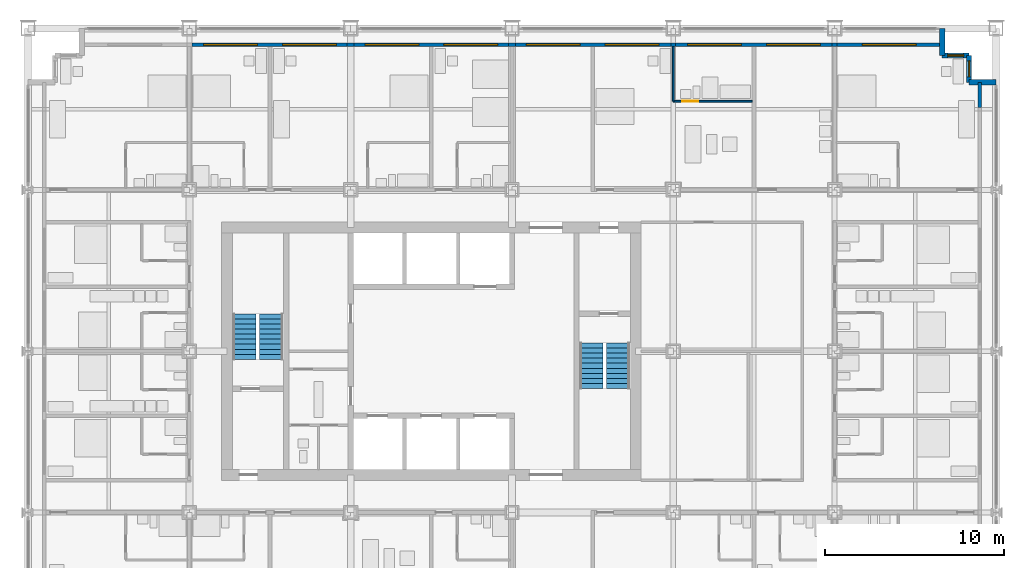
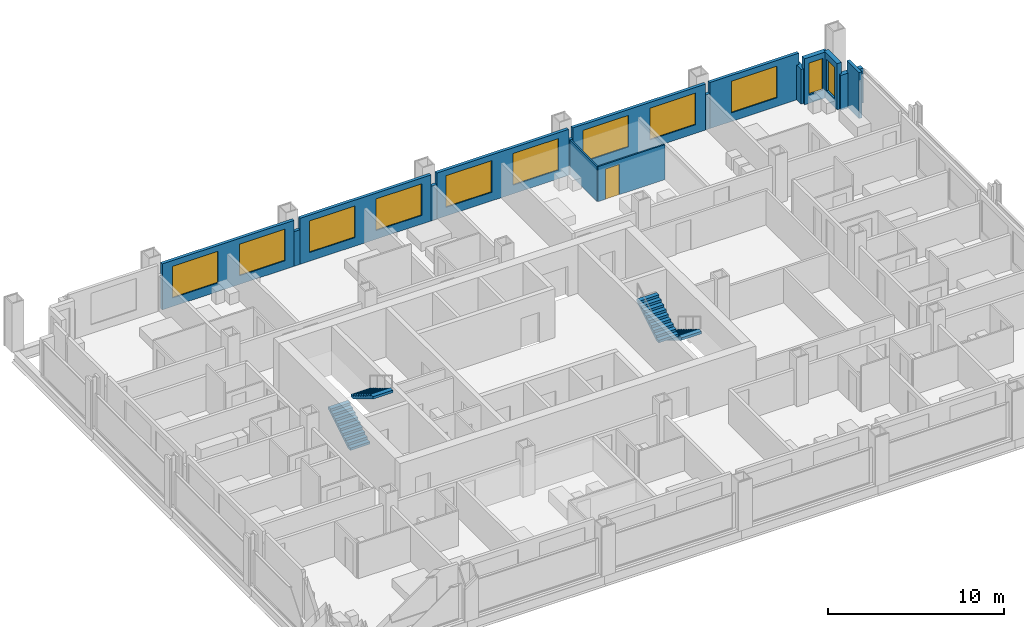
# One storey, part 15 of 18: 16 walls, 11 windows, 4 stair flights, 1 door, 12 openings, 2 elements without a shape of their own.
"""IFC4 building model written with IfcOpenShell, lengths in metres."""

from ifc_helpers import new_model, si_unit, direction, frame, frame_2d, origin, place, context, subcontext, project, spatial, polyline, rectangle, outline, extrude, material, layer, layer_set, type_object, element, fill, aggregate, save


model = new_model("IFC4")

# Units and contexts
model_context = context("Model", 3, precision=1e-05, world=origin(), true_north=direction((0.0, 1.0)))
body_context = subcontext(model_context, "Body", "Model", "MODEL_VIEW")
ifc_project = project(units=[si_unit("LENGTHUNIT", "METRE"), si_unit("AREAUNIT", "SQUARE_METRE"), si_unit("VOLUMEUNIT", "CUBIC_METRE"), si_unit("PLANEANGLEUNIT", "RADIAN"), si_unit("MASSUNIT", "GRAM", prefix="KILO")], contexts=[model_context])

# Site, building, storey
site_placement = place(None, origin())
site = spatial("IfcSite", under=ifc_project, at=site_placement, CompositionType="ELEMENT")
building_placement = place(site_placement, origin())
building = spatial("IfcBuilding", under=site, at=building_placement, Name="Loomwork Tower", CompositionType="ELEMENT")
storey_placement = place(building_placement, frame((0.0, 0.0, 55.199951171875)))
storey = spatial("IfcBuildingStorey", under=building, at=storey_placement, Name="L13", CompositionType="ELEMENT", Elevation=55.199951171875)

# Wall, opening, door
ifc_material_1 = material(Name="Cement board on steel studs", Category="steel")
ifc_layer_1 = layer(ifc_material_1, 0.10009765625)
ifc_layer_set_1 = layer_set([ifc_layer_1], Name="En-suite partition 100")
wall_type_1 = type_object("IfcWallType", Name="En-suite partition 100", PredefinedType="PARTITIONING", material=ifc_layer_set_1)
wall_1_placement = place(storey_placement, frame((36.0, 31.949951171875, 0.0), z_axis=(0.0, 0.0, 1.0), x_axis=(1.0, 0.0, 0.0)))
wall_1 = element("IfcWall", 1, at=wall_1_placement, inside=storey, type_object=wall_type_1, Name="Spa bathroom wall L13 room 12", PredefinedType="PARTITIONING", context=body_context, shape_type="SweptSolid", body=[
    extrude(rectangle(XDim=4.39990234375, YDim=0.10009765625, at=frame_2d((2.199951171875, 0.0))), origin(), (0.0, 0.0, 1.0), 2.43798828125),
])
opening_1_placement = place(wall_1_placement, frame((0.5, 0.0, 0.0)))
opening_1 = element("IfcOpeningElement", 2, at=opening_1_placement, cuts=wall_1, Name="Opening D2", PredefinedType="OPENING", context=body_context, shape_type="SweptSolid", body=[
    extrude(rectangle(XDim=0.89990234375, YDim=2.10009765625, at=frame_2d((0.449951171875, 1.050048828125))), frame((0.0, 0.06005859375, 0.0), z_axis=(0.0, -1.0, 0.0), x_axis=(1.0, 0.0, 0.0)), (0.0, 0.0, 1.0), 0.1201171875),
])
ifc_material_2 = material(Name="Hollow metal door and frame")
door_type = type_object("IfcDoorType", Name="En-suite door 900", OperationType="SINGLE_SWING_LEFT", PredefinedType="DOOR", material=ifc_material_2)
door_placement = place(opening_1_placement, origin())
door = element("IfcDoor", 3, at=door_placement, inside=storey, type_object=door_type, Name="Spa bathroom door room 12", OperationType="SINGLE_SWING_LEFT", OverallHeight=2.10009765625, OverallWidth=0.89990234375, PredefinedType="DOOR", context=body_context, shape_type="SweptSolid", body=[
    extrude(rectangle(XDim=0.89990234375, YDim=2.10009765625, at=frame_2d((0.449951171875, 1.050048828125))), frame((0.0, 0.02490234375, 0.0), z_axis=(0.0, -1.0, 0.0), x_axis=(1.0, 0.0, 0.0)), (0.0, 0.0, 1.0), 0.050048828125),
])
fill(opening_1, door)

# Wall
wall_2_placement = place(storey_placement, frame((36.0, 31.949951171875, 0.0), z_axis=(0.0, 0.0, 1.0), x_axis=(0.0, 1.0, 0.0)))
element("IfcWall", 4, at=wall_2_placement, inside=storey, type_object=wall_type_1, Name="Spa bathroom side wall L13 room 12", PredefinedType="PARTITIONING", context=body_context, shape_type="SweptSolid", body=[
    extrude(rectangle(XDim=3.050048828125, YDim=0.10009765625, at=frame_2d((1.52490234375, 0.0))), origin(), (0.0, 0.0, 1.0), 2.43798828125),
])

# Wall, openings, windows
ifc_material_3 = material(Name="Insulated steel stud wall with gypsum lining", Category="steel")
ifc_layer_2 = layer(ifc_material_3, 0.199951171875)
ifc_layer_set_2 = layer_set([ifc_layer_2], Name="Inner skin wall 200")
wall_type_2 = type_object("IfcWallType", Name="Inner skin wall 200", PredefinedType="SOLIDWALL", material=ifc_layer_set_2)
wall_3_placement = place(storey_placement, frame((9.13525390625, 35.10009765625, 0.0), z_axis=(0.0, 0.0, 1.0), x_axis=(1.0, 0.0, 0.0)))
wall_3 = element("IfcWall", 5, at=wall_3_placement, inside=storey, type_object=wall_type_2, Name="Inner skin wall N bay 3", PredefinedType="SOLIDWALL", context=body_context, shape_type="SweptSolid", body=[
    extrude(rectangle(XDim=8.6708984375, YDim=0.199951171875, at=frame_2d((4.33544921875, 0.0))), origin(), (0.0, 0.0, 1.0), 3.199951171875),
])
opening_2_placement = place(wall_3_placement, frame((0.664794921875, 0.0, 0.60009765625)))
opening_2 = element("IfcOpeningElement", 6, at=opening_2_placement, cuts=wall_3, Name="Opening CH1", PredefinedType="OPENING", context=body_context, shape_type="SweptSolid", body=[
    extrude(rectangle(XDim=3.0, YDim=2.199951171875, at=frame_2d((1.5, 1.10009765625))), frame((0.0, 0.10986328125, 0.0), z_axis=(0.0, -1.0, 0.0), x_axis=(1.0, 0.0, 0.0)), (0.0, 0.0, 1.0), 0.219970703125),
])
opening_3_placement = place(wall_3_placement, frame((5.064697265625, 0.0, 0.60009765625)))
opening_3 = element("IfcOpeningElement", 7, at=opening_3_placement, cuts=wall_3, Name="Opening CH1", PredefinedType="OPENING", context=body_context, shape_type="SweptSolid", body=[
    extrude(rectangle(XDim=3.0, YDim=2.199951171875, at=frame_2d((1.5, 1.10009765625))), frame((0.0, 0.10986328125, 0.0), z_axis=(0.0, -1.0, 0.0), x_axis=(1.0, 0.0, 0.0)), (0.0, 0.0, 1.0), 0.219970703125),
])
ifc_material_4 = material(Name="Aluminium frame with clear insulated glass", Category="aluminium")
window_type_1 = type_object("IfcWindowType", Name="Chicago window 3000", PartitioningType="TRIPLE_PANEL_VERTICAL", PredefinedType="WINDOW", material=ifc_material_4)
window_1_placement = place(opening_2_placement, origin())
window_1 = element("IfcWindow", 8, at=window_1_placement, inside=storey, type_object=window_type_1, Name="Chicago window L13 bay 8", OverallHeight=2.199951171875, OverallWidth=3.0, PartitioningType="TRIPLE_PANEL_VERTICAL", PredefinedType="WINDOW", context=body_context, shape_type="SweptSolid", body=[
    extrude(rectangle(XDim=3.0, YDim=2.199951171875, at=frame_2d((1.5, 1.10009765625))), frame((0.0, 0.030029296875, 0.0), z_axis=(0.0, -1.0, 0.0), x_axis=(1.0, 0.0, 0.0)), (0.0, 0.0, 1.0), 0.06005859375),
])
fill(opening_2, window_1)
window_2_placement = place(opening_3_placement, origin())
window_2 = element("IfcWindow", 9, at=window_2_placement, inside=storey, type_object=window_type_1, Name="Chicago window L13 bay 8", OverallHeight=2.199951171875, OverallWidth=3.0, PartitioningType="TRIPLE_PANEL_VERTICAL", PredefinedType="WINDOW", context=body_context, shape_type="SweptSolid", body=[
    extrude(rectangle(XDim=3.0, YDim=2.199951171875, at=frame_2d((1.5, 1.10009765625))), frame((0.0, 0.030029296875, 0.0), z_axis=(0.0, -1.0, 0.0), x_axis=(1.0, 0.0, 0.0)), (0.0, 0.0, 1.0), 0.06005859375),
])
fill(opening_3, window_2)

# Wall
wall_4_placement = place(storey_placement, frame((17.80615234375, 35.10009765625, 0.0), z_axis=(0.0, 0.0, 1.0), x_axis=(1.0, 0.0, 0.0)))
element("IfcWall", 10, at=wall_4_placement, inside=storey, type_object=wall_type_2, Name="Inner skin wall N bay 4", PredefinedType="SOLIDWALL", context=body_context, shape_type="SweptSolid", body=[
    extrude(rectangle(XDim=0.3876953125, YDim=0.199951171875, at=frame_2d((0.19384765625, 0.0))), origin(), (0.0, 0.0, 1.0), 2.404052734375),
])

# Wall, openings, windows
wall_5_placement = place(storey_placement, frame((18.19384765625, 35.10009765625, 0.0), z_axis=(0.0, 0.0, 1.0), x_axis=(1.0, 0.0, 0.0)))
wall_5 = element("IfcWall", 11, at=wall_5_placement, inside=storey, type_object=wall_type_2, Name="Inner skin wall N bay 5", PredefinedType="SOLIDWALL", context=body_context, shape_type="SweptSolid", body=[
    extrude(rectangle(XDim=8.6123046875, YDim=0.199951171875, at=frame_2d((4.30615234375, 0.0))), origin(), (0.0, 0.0, 1.0), 3.199951171875),
])
opening_4_placement = place(wall_5_placement, frame((0.606201171875, 0.0, 0.60009765625)))
opening_4 = element("IfcOpeningElement", 12, at=opening_4_placement, cuts=wall_5, Name="Opening CH1", PredefinedType="OPENING", context=body_context, shape_type="SweptSolid", body=[
    extrude(rectangle(XDim=3.0, YDim=2.199951171875, at=frame_2d((1.5, 1.10009765625))), frame((0.0, 0.10986328125, 0.0), z_axis=(0.0, -1.0, 0.0), x_axis=(1.0, 0.0, 0.0)), (0.0, 0.0, 1.0), 0.219970703125),
])
opening_5_placement = place(wall_5_placement, frame((5.006103515625, 0.0, 0.60009765625)))
opening_5 = element("IfcOpeningElement", 13, at=opening_5_placement, cuts=wall_5, Name="Opening CH1", PredefinedType="OPENING", context=body_context, shape_type="SweptSolid", body=[
    extrude(rectangle(XDim=3.0, YDim=2.199951171875, at=frame_2d((1.5, 1.10009765625))), frame((0.0, 0.10986328125, 0.0), z_axis=(0.0, -1.0, 0.0), x_axis=(1.0, 0.0, 0.0)), (0.0, 0.0, 1.0), 0.219970703125),
])
window_3_placement = place(opening_4_placement, origin())
window_3 = element("IfcWindow", 14, at=window_3_placement, inside=storey, type_object=window_type_1, Name="Chicago window L13 bay 9", OverallHeight=2.199951171875, OverallWidth=3.0, PartitioningType="TRIPLE_PANEL_VERTICAL", PredefinedType="WINDOW", context=body_context, shape_type="SweptSolid", body=[
    extrude(rectangle(XDim=3.0, YDim=2.199951171875, at=frame_2d((1.5, 1.10009765625))), frame((0.0, 0.030029296875, 0.0), z_axis=(0.0, -1.0, 0.0), x_axis=(1.0, 0.0, 0.0)), (0.0, 0.0, 1.0), 0.06005859375),
])
fill(opening_4, window_3)
window_4_placement = place(opening_5_placement, origin())
window_4 = element("IfcWindow", 15, at=window_4_placement, inside=storey, type_object=window_type_1, Name="Chicago window L13 bay 9", OverallHeight=2.199951171875, OverallWidth=3.0, PartitioningType="TRIPLE_PANEL_VERTICAL", PredefinedType="WINDOW", context=body_context, shape_type="SweptSolid", body=[
    extrude(rectangle(XDim=3.0, YDim=2.199951171875, at=frame_2d((1.5, 1.10009765625))), frame((0.0, 0.030029296875, 0.0), z_axis=(0.0, -1.0, 0.0), x_axis=(1.0, 0.0, 0.0)), (0.0, 0.0, 1.0), 0.06005859375),
])
fill(opening_5, window_4)

# Wall
wall_6_placement = place(storey_placement, frame((26.80615234375, 35.10009765625, 0.0), z_axis=(0.0, 0.0, 1.0), x_axis=(1.0, 0.0, 0.0)))
element("IfcWall", 16, at=wall_6_placement, inside=storey, type_object=wall_type_2, Name="Inner skin wall N bay 6", PredefinedType="SOLIDWALL", context=body_context, shape_type="SweptSolid", body=[
    extrude(rectangle(XDim=0.3876953125, YDim=0.199951171875, at=frame_2d((0.19384765625, 0.0))), origin(), (0.0, 0.0, 1.0), 2.404052734375),
])

# Wall, openings, windows
wall_7_placement = place(storey_placement, frame((27.19384765625, 35.10009765625, 0.0), z_axis=(0.0, 0.0, 1.0), x_axis=(1.0, 0.0, 0.0)))
wall_7 = element("IfcWall", 17, at=wall_7_placement, inside=storey, type_object=wall_type_2, Name="Inner skin wall N bay 7", PredefinedType="SOLIDWALL", context=body_context, shape_type="SweptSolid", body=[
    extrude(rectangle(XDim=8.670654296875, YDim=0.199951171875, at=frame_2d((4.33544921875, 0.0))), origin(), (0.0, 0.0, 1.0), 3.199951171875),
])
opening_6_placement = place(wall_7_placement, frame((0.606201171875, 0.0, 0.60009765625)))
opening_6 = element("IfcOpeningElement", 18, at=opening_6_placement, cuts=wall_7, Name="Opening CH1", PredefinedType="OPENING", context=body_context, shape_type="SweptSolid", body=[
    extrude(rectangle(XDim=3.0, YDim=2.199951171875, at=frame_2d((1.5, 1.10009765625))), frame((0.0, 0.10986328125, 0.0), z_axis=(0.0, -1.0, 0.0), x_axis=(1.0, 0.0, 0.0)), (0.0, 0.0, 1.0), 0.219970703125),
])
opening_7_placement = place(wall_7_placement, frame((5.006103515625, 0.0, 0.60009765625)))
opening_7 = element("IfcOpeningElement", 19, at=opening_7_placement, cuts=wall_7, Name="Opening CH1", PredefinedType="OPENING", context=body_context, shape_type="SweptSolid", body=[
    extrude(rectangle(XDim=3.0, YDim=2.199951171875, at=frame_2d((1.5, 1.10009765625))), frame((0.0, 0.10986328125, 0.0), z_axis=(0.0, -1.0, 0.0), x_axis=(1.0, 0.0, 0.0)), (0.0, 0.0, 1.0), 0.219970703125),
])
window_5_placement = place(opening_6_placement, origin())
window_5 = element("IfcWindow", 20, at=window_5_placement, inside=storey, type_object=window_type_1, Name="Chicago window L13 bay 10", OverallHeight=2.199951171875, OverallWidth=3.0, PartitioningType="TRIPLE_PANEL_VERTICAL", PredefinedType="WINDOW", context=body_context, shape_type="SweptSolid", body=[
    extrude(rectangle(XDim=3.0, YDim=2.199951171875, at=frame_2d((1.5, 1.10009765625))), frame((0.0, 0.030029296875, 0.0), z_axis=(0.0, -1.0, 0.0), x_axis=(1.0, 0.0, 0.0)), (0.0, 0.0, 1.0), 0.06005859375),
])
fill(opening_6, window_5)
window_6_placement = place(opening_7_placement, origin())
window_6 = element("IfcWindow", 21, at=window_6_placement, inside=storey, type_object=window_type_1, Name="Chicago window L13 bay 10", OverallHeight=2.199951171875, OverallWidth=3.0, PartitioningType="TRIPLE_PANEL_VERTICAL", PredefinedType="WINDOW", context=body_context, shape_type="SweptSolid", body=[
    extrude(rectangle(XDim=3.0, YDim=2.199951171875, at=frame_2d((1.5, 1.10009765625))), frame((0.0, 0.030029296875, 0.0), z_axis=(0.0, -1.0, 0.0), x_axis=(1.0, 0.0, 0.0)), (0.0, 0.0, 1.0), 0.06005859375),
])
fill(opening_7, window_6)

# Wall
wall_8_placement = place(storey_placement, frame((35.864501953125, 35.10009765625, 0.0), z_axis=(0.0, 0.0, 1.0), x_axis=(1.0, 0.0, 0.0)))
element("IfcWall", 22, at=wall_8_placement, inside=storey, type_object=wall_type_2, Name="Inner skin wall N bay 8", PredefinedType="SOLIDWALL", context=body_context, shape_type="SweptSolid", body=[
    extrude(rectangle(XDim=0.27099609375, YDim=0.199951171875, at=frame_2d((0.135498046875, 0.0))), origin(), (0.0, 0.0, 1.0), 2.43798828125),
])

# Wall, openings, windows
wall_9_placement = place(storey_placement, frame((36.135498046875, 35.10009765625, 0.0), z_axis=(0.0, 0.0, 1.0), x_axis=(1.0, 0.0, 0.0)))
wall_9 = element("IfcWall", 23, at=wall_9_placement, inside=storey, type_object=wall_type_2, Name="Inner skin wall N bay 9", PredefinedType="SOLIDWALL", context=body_context, shape_type="SweptSolid", body=[
    extrude(rectangle(XDim=8.72900390625, YDim=0.199951171875, at=frame_2d((4.364501953125, 0.0))), origin(), (0.0, 0.0, 1.0), 3.199951171875),
])
opening_8_placement = place(wall_9_placement, frame((0.66455078125, 0.0, 0.60009765625)))
opening_8 = element("IfcOpeningElement", 24, at=opening_8_placement, cuts=wall_9, Name="Opening CH1", PredefinedType="OPENING", context=body_context, shape_type="SweptSolid", body=[
    extrude(rectangle(XDim=3.0, YDim=2.199951171875, at=frame_2d((1.5, 1.10009765625))), frame((0.0, 0.10986328125, 0.0), z_axis=(0.0, -1.0, 0.0), x_axis=(1.0, 0.0, 0.0)), (0.0, 0.0, 1.0), 0.219970703125),
])
opening_9_placement = place(wall_9_placement, frame((5.064697265625, 0.0, 0.60009765625)))
opening_9 = element("IfcOpeningElement", 25, at=opening_9_placement, cuts=wall_9, Name="Opening CH1", PredefinedType="OPENING", context=body_context, shape_type="SweptSolid", body=[
    extrude(rectangle(XDim=3.0, YDim=2.199951171875, at=frame_2d((1.5, 1.10009765625))), frame((0.0, 0.10986328125, 0.0), z_axis=(0.0, -1.0, 0.0), x_axis=(1.0, 0.0, 0.0)), (0.0, 0.0, 1.0), 0.219970703125),
])
window_7_placement = place(opening_8_placement, origin())
window_7 = element("IfcWindow", 26, at=window_7_placement, inside=storey, type_object=window_type_1, Name="Chicago window L13 bay 11", OverallHeight=2.199951171875, OverallWidth=3.0, PartitioningType="TRIPLE_PANEL_VERTICAL", PredefinedType="WINDOW", context=body_context, shape_type="SweptSolid", body=[
    extrude(rectangle(XDim=3.0, YDim=2.199951171875, at=frame_2d((1.5, 1.10009765625))), frame((0.0, 0.030029296875, 0.0), z_axis=(0.0, -1.0, 0.0), x_axis=(1.0, 0.0, 0.0)), (0.0, 0.0, 1.0), 0.06005859375),
])
fill(opening_8, window_7)
window_8_placement = place(opening_9_placement, origin())
window_8 = element("IfcWindow", 27, at=window_8_placement, inside=storey, type_object=window_type_1, Name="Chicago window L13 bay 11", OverallHeight=2.199951171875, OverallWidth=3.0, PartitioningType="TRIPLE_PANEL_VERTICAL", PredefinedType="WINDOW", context=body_context, shape_type="SweptSolid", body=[
    extrude(rectangle(XDim=3.0, YDim=2.199951171875, at=frame_2d((1.5, 1.10009765625))), frame((0.0, 0.030029296875, 0.0), z_axis=(0.0, -1.0, 0.0), x_axis=(1.0, 0.0, 0.0)), (0.0, 0.0, 1.0), 0.06005859375),
])
fill(opening_9, window_8)

# Wall
wall_10_placement = place(storey_placement, frame((44.864501953125, 35.10009765625, 0.0), z_axis=(0.0, 0.0, 1.0), x_axis=(1.0, 0.0, 0.0)))
element("IfcWall", 28, at=wall_10_placement, inside=storey, type_object=wall_type_2, Name="Inner skin wall N bay 10", PredefinedType="SOLIDWALL", context=body_context, shape_type="SweptSolid", body=[
    extrude(rectangle(XDim=0.27099609375, YDim=0.199951171875, at=frame_2d((0.135498046875, 0.0))), origin(), (0.0, 0.0, 1.0), 2.43798828125),
])

# Wall, opening, window
wall_11_placement = place(storey_placement, frame((45.135498046875, 35.10009765625, 0.0), z_axis=(0.0, 0.0, 1.0), x_axis=(1.0, 0.0, 0.0)))
wall_11 = element("IfcWall", 29, at=wall_11_placement, inside=storey, type_object=wall_type_2, Name="Inner skin wall N bay 11", PredefinedType="SOLIDWALL", context=body_context, shape_type="SweptSolid", body=[
    extrude(rectangle(XDim=5.864501953125, YDim=0.199951171875, at=frame_2d((2.93212890625, 0.0))), origin(), (0.0, 0.0, 1.0), 3.199951171875),
])
opening_10_placement = place(wall_11_placement, frame((1.41455078125, 0.0, 0.60009765625)))
opening_10 = element("IfcOpeningElement", 30, at=opening_10_placement, cuts=wall_11, Name="Opening CH1", PredefinedType="OPENING", context=body_context, shape_type="SweptSolid", body=[
    extrude(rectangle(XDim=3.0, YDim=2.199951171875, at=frame_2d((1.5, 1.10009765625))), frame((0.0, 0.10986328125, 0.0), z_axis=(0.0, -1.0, 0.0), x_axis=(1.0, 0.0, 0.0)), (0.0, 0.0, 1.0), 0.219970703125),
])
window_9_placement = place(opening_10_placement, origin())
window_9 = element("IfcWindow", 31, at=window_9_placement, inside=storey, type_object=window_type_1, Name="Chicago window L13 bay 12", OverallHeight=2.199951171875, OverallWidth=3.0, PartitioningType="TRIPLE_PANEL_VERTICAL", PredefinedType="WINDOW", context=body_context, shape_type="SweptSolid", body=[
    extrude(rectangle(XDim=3.0, YDim=2.199951171875, at=frame_2d((1.5, 1.10009765625))), frame((0.0, 0.030029296875, 0.0), z_axis=(0.0, -1.0, 0.0), x_axis=(1.0, 0.0, 0.0)), (0.0, 0.0, 1.0), 0.06005859375),
])
fill(opening_10, window_9)

# Walls
wall_12_placement = place(storey_placement, frame((53.10009765625, 31.607421875, 0.0), z_axis=(0.0, 0.0, 1.0), x_axis=(0.0, 1.0, 0.0)))
element("IfcWall", 32, at=wall_12_placement, inside=storey, type_object=wall_type_2, Name="Inner skin wall E bay 11", PredefinedType="SOLIDWALL", context=body_context, shape_type="SweptSolid", body=[
    extrude(rectangle(XDim=1.392578125, YDim=0.199951171875, at=frame_2d((0.6962890625, 0.0))), origin(), (0.0, 0.0, 1.0), 3.199951171875),
])
ifc_material_5 = material(Name="Limestone on concrete masonry", Category="masonry")
ifc_layer_3 = layer(ifc_material_5, 0.300048828125)
ifc_layer_set_3 = layer_set([ifc_layer_3], Name="Limestone corner wall 300")
wall_type_3 = type_object("IfcWallType", Name="Limestone corner wall 300", PredefinedType="SOLIDWALL", material=ifc_layer_set_3)
wall_13_placement = place(storey_placement, frame((54.0, 33.0, 0.0), z_axis=(0.0, 0.0, 1.0), x_axis=(-1.0, 0.0, 0.0)))
element("IfcWall", 33, at=wall_13_placement, inside=storey, type_object=wall_type_3, Name="Stone corner wall NE 1", PredefinedType="SOLIDWALL", context=body_context, shape_type="SweptSolid", body=[
    extrude(rectangle(XDim=1.5, YDim=0.300048828125, at=frame_2d((0.75, 0.0))), origin(), (0.0, 0.0, 1.0), 2.420166015625),
])

# Wall, opening, window
wall_14_placement = place(storey_placement, frame((52.5, 33.0, 0.0), z_axis=(0.0, 0.0, 1.0), x_axis=(0.0, 1.0, 0.0)))
wall_14 = element("IfcWall", 34, at=wall_14_placement, inside=storey, type_object=wall_type_3, Name="Stone corner wall NE 2", PredefinedType="SOLIDWALL", context=body_context, shape_type="SweptSolid", body=[
    extrude(rectangle(XDim=1.5, YDim=0.300048828125, at=frame_2d((0.75, 0.0))), origin(), (0.0, 0.0, 1.0), 3.199951171875),
])
opening_11_placement = place(wall_14_placement, frame((0.300048828125, 0.0, 0.60009765625)))
opening_11 = element("IfcOpeningElement", 35, at=opening_11_placement, cuts=wall_14, Name="Opening CH2", PredefinedType="OPENING", context=body_context, shape_type="SweptSolid", body=[
    extrude(rectangle(XDim=0.89990234375, YDim=2.199951171875, at=frame_2d((0.449951171875, 1.10009765625))), frame((0.0, 0.159912109375, 0.0), z_axis=(0.0, -1.0, 0.0), x_axis=(1.0, 0.0, 0.0)), (0.0, 0.0, 1.0), 0.320068359375),
])
ifc_material_6 = material(Name="Aluminium frame with clear insulated glass", Category="aluminium")
window_type_2 = type_object("IfcWindowType", Name="Corner window 900", PartitioningType="SINGLE_PANEL", PredefinedType="WINDOW", material=ifc_material_6)
window_10_placement = place(opening_11_placement, origin())
window_10 = element("IfcWindow", 36, at=window_10_placement, inside=storey, type_object=window_type_2, Name="Corner window NE", OverallHeight=2.199951171875, OverallWidth=0.89990234375, PartitioningType="SINGLE_PANEL", PredefinedType="WINDOW", context=body_context, shape_type="SweptSolid", body=[
    extrude(rectangle(XDim=0.89990234375, YDim=2.199951171875, at=frame_2d((0.449951171875, 1.10009765625))), frame((0.0, 0.030029296875, 0.0), z_axis=(0.0, -1.0, 0.0), x_axis=(1.0, 0.0, 0.0)), (0.0, 0.0, 1.0), 0.06005859375),
])
fill(opening_11, window_10)

wall_15_placement = place(storey_placement, frame((52.5, 34.5, 0.0), z_axis=(0.0, 0.0, 1.0), x_axis=(-1.0, 0.0, 0.0)))
wall_15 = element("IfcWall", 37, at=wall_15_placement, inside=storey, type_object=wall_type_3, Name="Stone corner wall NE 3", PredefinedType="SOLIDWALL", context=body_context, shape_type="SweptSolid", body=[
    extrude(rectangle(XDim=1.5, YDim=0.300048828125, at=frame_2d((0.75, 0.0))), origin(), (0.0, 0.0, 1.0), 3.199951171875),
])
opening_12_placement = place(wall_15_placement, frame((0.300048828125, 0.0, 0.60009765625)))
opening_12 = element("IfcOpeningElement", 38, at=opening_12_placement, cuts=wall_15, Name="Opening CH2", PredefinedType="OPENING", context=body_context, shape_type="SweptSolid", body=[
    extrude(rectangle(XDim=0.89990234375, YDim=2.199951171875, at=frame_2d((0.449951171875, 1.10009765625))), frame((0.0, 0.159912109375, 0.0), z_axis=(0.0, -1.0, 0.0), x_axis=(1.0, 0.0, 0.0)), (0.0, 0.0, 1.0), 0.320068359375),
])
window_11_placement = place(opening_12_placement, origin())
window_11 = element("IfcWindow", 39, at=window_11_placement, inside=storey, type_object=window_type_2, Name="Corner window NE", OverallHeight=2.199951171875, OverallWidth=0.89990234375, PartitioningType="SINGLE_PANEL", PredefinedType="WINDOW", context=body_context, shape_type="SweptSolid", body=[
    extrude(rectangle(XDim=0.89990234375, YDim=2.199951171875, at=frame_2d((0.449951171875, 1.10009765625))), frame((0.0, 0.030029296875, 0.0), z_axis=(0.0, -1.0, 0.0), x_axis=(1.0, 0.0, 0.0)), (0.0, 0.0, 1.0), 0.06005859375),
])
fill(opening_12, window_11)

# Wall
wall_16_placement = place(storey_placement, frame((51.0, 34.5, 0.0), z_axis=(0.0, 0.0, 1.0), x_axis=(0.0, 1.0, 0.0)))
element("IfcWall", 40, at=wall_16_placement, inside=storey, type_object=wall_type_3, Name="Stone corner wall NE 4", PredefinedType="SOLIDWALL", context=body_context, shape_type="SweptSolid", body=[
    extrude(rectangle(XDim=1.5, YDim=0.300048828125, at=frame_2d((0.75, 0.0))), origin(), (0.0, 0.0, 1.0), 2.420166015625),
])

# Stair, stair flights
ifc_material_7 = material(Name="Concrete 5000 psi (34 MPa) precast stair", Category="concrete")
stair_type_1 = type_object("IfcStairType", Name="Stair ST-A 20 risers 2850 wide", PredefinedType="HALF_TURN_STAIR", material=ifc_material_7)
stair_1_placement = place(storey_placement, origin())
stair_1 = element("IfcStair", 41, at=stair_1_placement, inside=storey, type_object=stair_type_1, Name="Stair A L13", PredefinedType="HALF_TURN_STAIR")
ifc_material_8 = material(Name="Concrete 5000 psi (34 MPa) precast stair", Category="concrete")
stair_flight_type_1 = type_object("IfcStairFlightType", Name="Stair flight ST-A 10 risers 1300 wide", PredefinedType="STRAIGHT", material=ifc_material_8)
stair_flight_1_placement = place(storey_placement, frame((12.074951171875, 17.550048828125, 0.0), z_axis=(0.0, 0.0, 1.0), x_axis=(0.0, 1.0, 0.0)))
stair_flight_1 = element("IfcStairFlight", 42, at=stair_flight_1_placement, type_object=stair_flight_type_1, Name="ST-A flight 1", NumberOfRisers=10, NumberOfTreads=9, PredefinedType="STRAIGHT", RiserHeight=0.17, TreadLength=0.28, context=body_context, shape_type="SweptSolid", body=[
    extrude(outline(polyline([(0.0, 0.0), (0.0, 0.169921875), (0.280029296875, 0.169921875), (0.280029296875, 0.340087890625), (0.56005859375, 0.340087890625), (0.56005859375, 0.510009765625), (0.840087890625, 0.510009765625), (0.840087890625, 0.679931640625), (1.1201171875, 0.679931640625), (1.1201171875, 0.85009765625), (1.39990234375, 0.85009765625), (1.39990234375, 1.02001953125), (1.679931640625, 1.02001953125), (1.679931640625, 1.18994140625), (1.9599609375, 1.18994140625), (1.9599609375, 1.360107421875), (2.239990234375, 1.360107421875), (2.239990234375, 1.530029296875), (2.52001953125, 1.530029296875), (2.52001953125, 1.699951171875), (2.52001953125, 1.354736328125), (0.288818359375, 0.0), (0.0, 0.0)])), frame((0.0, 0.64990234375, 0.0), z_axis=(0.0, -1.0, 0.0), x_axis=(1.0, 0.0, 0.0)), (0.0, 0.0, 1.0), 1.300048828125),
])
stair_flight_2_placement = place(storey_placement, frame((13.574951171875, 20.070068359375, 1.699951171875), z_axis=(0.0, 0.0, 1.0), x_axis=(0.0, -1.0, 0.0)))
stair_flight_2 = element("IfcStairFlight", 43, at=stair_flight_2_placement, type_object=stair_flight_type_1, Name="ST-A flight 2", NumberOfRisers=10, NumberOfTreads=9, PredefinedType="STRAIGHT", RiserHeight=0.17, TreadLength=0.28, context=body_context, shape_type="SweptSolid", body=[
    extrude(outline(polyline([(0.0, 0.0), (0.0, 0.169921875), (0.280029296875, 0.169921875), (0.280029296875, 0.340087890625), (0.56005859375, 0.340087890625), (0.56005859375, 0.510009765625), (0.840087890625, 0.510009765625), (0.840087890625, 0.679931640625), (1.1201171875, 0.679931640625), (1.1201171875, 0.85009765625), (1.39990234375, 0.85009765625), (1.39990234375, 1.02001953125), (1.679931640625, 1.02001953125), (1.679931640625, 1.18994140625), (1.9599609375, 1.18994140625), (1.9599609375, 1.360107421875), (2.239990234375, 1.360107421875), (2.239990234375, 1.530029296875), (2.52001953125, 1.530029296875), (2.52001953125, 1.699951171875), (2.52001953125, 1.354736328125), (0.288818359375, 0.0), (0.0, 0.0)])), frame((0.0, 0.64990234375, 0.0), z_axis=(0.0, -1.0, 0.0), x_axis=(1.0, 0.0, 0.0)), (0.0, 0.0, 1.0), 1.300048828125),
])
aggregate(stair_1, [stair_flight_1, stair_flight_2])

ifc_material_9 = material(Name="Concrete 5000 psi (34 MPa) precast stair", Category="concrete")
stair_type_2 = type_object("IfcStairType", Name="Stair ST-B 20 risers 2850 wide", PredefinedType="HALF_TURN_STAIR", material=ifc_material_9)
stair_2_placement = place(storey_placement, origin())
stair_2 = element("IfcStair", 44, at=stair_2_placement, inside=storey, type_object=stair_type_2, Name="Stair B L13", PredefinedType="HALF_TURN_STAIR")
ifc_material_10 = material(Name="Concrete 5000 psi (34 MPa) precast stair", Category="concrete")
stair_flight_type_2 = type_object("IfcStairFlightType", Name="Stair flight ST-B 10 risers 1300 wide", PredefinedType="STRAIGHT", material=ifc_material_10)
stair_flight_3_placement = place(storey_placement, frame((32.925048828125, 18.449951171875, 0.0), z_axis=(0.0, 0.0, 1.0), x_axis=(0.0, -1.0, 0.0)))
stair_flight_3 = element("IfcStairFlight", 45, at=stair_flight_3_placement, type_object=stair_flight_type_2, Name="ST-B flight 1", NumberOfRisers=10, NumberOfTreads=9, PredefinedType="STRAIGHT", RiserHeight=0.17, TreadLength=0.28, context=body_context, shape_type="SweptSolid", body=[
    extrude(outline(polyline([(0.0, 0.0), (0.0, 0.169921875), (0.280029296875, 0.169921875), (0.280029296875, 0.340087890625), (0.56005859375, 0.340087890625), (0.56005859375, 0.510009765625), (0.840087890625, 0.510009765625), (0.840087890625, 0.679931640625), (1.1201171875, 0.679931640625), (1.1201171875, 0.85009765625), (1.39990234375, 0.85009765625), (1.39990234375, 1.02001953125), (1.679931640625, 1.02001953125), (1.679931640625, 1.18994140625), (1.9599609375, 1.18994140625), (1.9599609375, 1.360107421875), (2.239990234375, 1.360107421875), (2.239990234375, 1.530029296875), (2.52001953125, 1.530029296875), (2.52001953125, 1.699951171875), (2.52001953125, 1.354736328125), (0.288818359375, 0.0), (0.0, 0.0)])), frame((0.0, 0.64990234375, 0.0), z_axis=(0.0, -1.0, 0.0), x_axis=(1.0, 0.0, 0.0)), (0.0, 0.0, 1.0), 1.300048828125),
])
stair_flight_4_placement = place(storey_placement, frame((31.425048828125, 15.929931640625, 1.699951171875), z_axis=(0.0, 0.0, 1.0), x_axis=(0.0, 1.0, 0.0)))
stair_flight_4 = element("IfcStairFlight", 46, at=stair_flight_4_placement, type_object=stair_flight_type_2, Name="ST-B flight 2", NumberOfRisers=10, NumberOfTreads=9, PredefinedType="STRAIGHT", RiserHeight=0.17, TreadLength=0.28, context=body_context, shape_type="SweptSolid", body=[
    extrude(outline(polyline([(0.0, 0.0), (0.0, 0.169921875), (0.280029296875, 0.169921875), (0.280029296875, 0.340087890625), (0.56005859375, 0.340087890625), (0.56005859375, 0.510009765625), (0.840087890625, 0.510009765625), (0.840087890625, 0.679931640625), (1.1201171875, 0.679931640625), (1.1201171875, 0.85009765625), (1.39990234375, 0.85009765625), (1.39990234375, 1.02001953125), (1.679931640625, 1.02001953125), (1.679931640625, 1.18994140625), (1.9599609375, 1.18994140625), (1.9599609375, 1.360107421875), (2.239990234375, 1.360107421875), (2.239990234375, 1.530029296875), (2.52001953125, 1.530029296875), (2.52001953125, 1.699951171875), (2.52001953125, 1.354736328125), (0.288818359375, 0.0), (0.0, 0.0)])), frame((0.0, 0.64990234375, 0.0), z_axis=(0.0, -1.0, 0.0), x_axis=(1.0, 0.0, 0.0)), (0.0, 0.0, 1.0), 1.300048828125),
])
aggregate(stair_2, [stair_flight_3, stair_flight_4])

save(model, "model.ifc")
